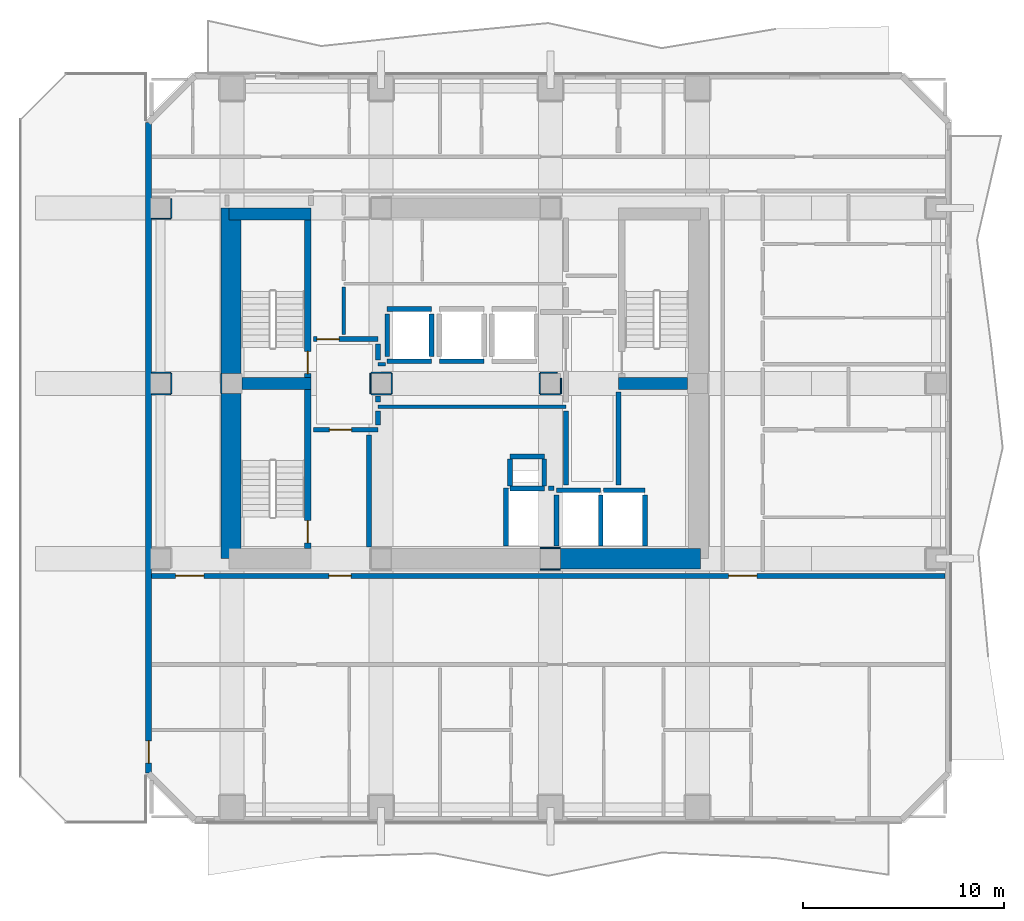
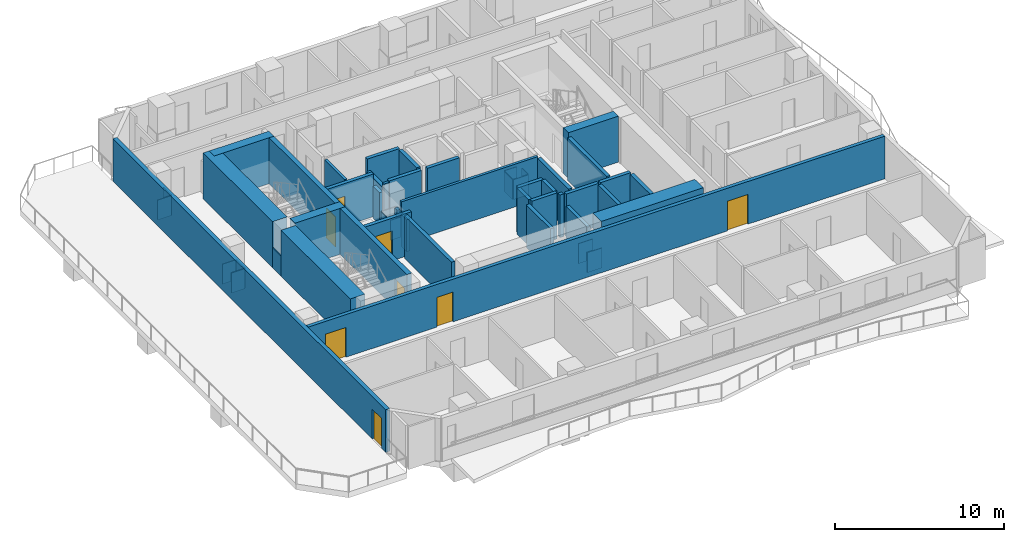
# One storey, part 3 of 10: 53 walls, 8 doors, 8 openings.
"""IFC4 building model written with IfcOpenShell, lengths in metres."""

from ifc_helpers import new_model, si_unit, direction, frame, frame_2d, origin, place, context, subcontext, project, spatial, rectangle, extrude, material, layer, layer_set, type_object, element, fill, save


model = new_model("IFC4")

# Units and contexts
model_context = context("Model", 3, precision=1e-05, world=origin(), true_north=direction((0.0, 1.0)))
body_context = subcontext(model_context, "Body", "Model", "MODEL_VIEW")
ifc_project = project(units=[si_unit("LENGTHUNIT", "METRE"), si_unit("AREAUNIT", "SQUARE_METRE"), si_unit("VOLUMEUNIT", "CUBIC_METRE"), si_unit("PLANEANGLEUNIT", "RADIAN"), si_unit("MASSUNIT", "GRAM", prefix="KILO")], contexts=[model_context])

# Site, building, storey
site_placement = place(None, origin())
site = spatial("IfcSite", under=ifc_project, at=site_placement, CompositionType="ELEMENT")
building_placement = place(site_placement, origin())
building = spatial("IfcBuilding", under=site, at=building_placement, Name="Solanera Arch Residences", CompositionType="ELEMENT")
storey_placement = place(building_placement, frame((0.0, 0.0, 126.0)))
storey = spatial("IfcBuildingStorey", under=building, at=storey_placement, Name="L36", CompositionType="ELEMENT", Elevation=126.0)

# Walls
ifc_material_1 = material(Name="Fire-Rated Gypsum Stud Partition", Category="gypsum")
ifc_layer_1 = layer(ifc_material_1, 0.06005859375)
ifc_layer_set_1 = layer_set([ifc_layer_1], Name="Fire-Rated Gypsum Stud Partition")
wall_type_1 = type_object("IfcWallType", Name="Column Acoustic Furring Wall 60", PredefinedType="PARTITIONING", material=ifc_layer_set_1)
for number, where, z_axis, x_axis, name in (
    (1, (28.699951171875, 21.468017578125, 0.0), (0.0, 0.0, 1.0), (1.0, 0.0, 0.0), "L36 Column Furring 2S"),
    (2, (28.699951171875, 22.531982421875, 0.0), (0.0, 0.0, 1.0), (1.0, 0.0, 0.0), "L36 Column Furring 2N"),
):
    element("IfcWall", number, at=place(storey_placement, frame(where, z_axis=z_axis, x_axis=x_axis)), inside=storey, type_object=wall_type_1, Name=name, PredefinedType="PARTITIONING", context=body_context, shape_type="SweptSolid", body=[
        extrude(rectangle(XDim=1.0, YDim=0.06005859375, at=frame_2d((0.5, 0.0))), origin(), (0.0, 0.0, 1.0), 1.449951171875),
    ])
wall_1_placement = place(storey_placement, frame((12.867919921875, 30.2099609375, 0.0), z_axis=(0.0, 0.0, 1.0), x_axis=(0.0, 1.0, 0.0)))
element("IfcWall", 3, at=wall_1_placement, inside=storey, type_object=wall_type_1, Name="L36 Column Furring 5W", PredefinedType="PARTITIONING", context=body_context, shape_type="SweptSolid", body=[
    extrude(rectangle(XDim=0.97998046875, YDim=0.06005859375, at=frame_2d((0.489990234375, 0.0))), origin(), (0.0, 0.0, 1.0), 1.449951171875),
])
for number, where, z_axis, x_axis, name in (
    (4, (20.300048828125, 30.16796875, 0.0), (0.0, 0.0, 1.0), (1.0, 0.0, 0.0), "L36 Column Furring 7S"),
    (5, (20.300048828125, 31.23193359375, 0.0), (0.0, 0.0, 1.0), (1.0, 0.0, 0.0), "L36 Column Furring 7N"),
    (6, (20.26806640625, 30.199951171875, 0.0), (0.0, 0.0, 1.0), (0.0, 1.0, 0.0), "L36 Column Furring 7W"),
    (7, (21.33203125, 30.199951171875, 0.0), (0.0, 0.0, 1.0), (0.0, 1.0, 0.0), "L36 Column Furring 7E"),
    (8, (28.699951171875, 30.16796875, 0.0), (0.0, 0.0, 1.0), (1.0, 0.0, 0.0), "L36 Column Furring 8S"),
):
    element("IfcWall", number, at=place(storey_placement, frame(where, z_axis=z_axis, x_axis=x_axis)), inside=storey, type_object=wall_type_1, Name=name, PredefinedType="PARTITIONING", context=body_context, shape_type="SweptSolid", body=[
        extrude(rectangle(XDim=1.0, YDim=0.06005859375, at=frame_2d((0.5, 0.0))), origin(), (0.0, 0.0, 1.0), 1.449951171875),
    ])
wall_2_placement = place(storey_placement, frame((28.699951171875, 31.23193359375, 0.0), z_axis=(0.0, 0.0, 1.0), x_axis=(1.0, 0.0, 0.0)))
element("IfcWall", 9, at=wall_2_placement, inside=storey, type_object=wall_type_1, Name="L36 Column Furring 8N", PredefinedType="PARTITIONING", context=body_context, shape_type="SweptSolid", body=[
    extrude(rectangle(XDim=0.8349609375, YDim=0.06005859375, at=frame_2d((0.41748046875, 0.0))), origin(), (0.0, 0.0, 1.0), 1.449951171875),
])
wall_3_placement = place(storey_placement, frame((28.66796875, 30.199951171875, 0.0), z_axis=(0.0, 0.0, 1.0), x_axis=(0.0, 1.0, 0.0)))
element("IfcWall", 10, at=wall_3_placement, inside=storey, type_object=wall_type_1, Name="L36 Column Furring 8W", PredefinedType="PARTITIONING", context=body_context, shape_type="SweptSolid", body=[
    extrude(rectangle(XDim=1.0, YDim=0.06005859375, at=frame_2d((0.5, 0.0))), origin(), (0.0, 0.0, 1.0), 1.449951171875),
])
wall_4_placement = place(storey_placement, frame((29.73193359375, 30.199951171875, 0.0), z_axis=(0.0, 0.0, 1.0), x_axis=(0.0, 1.0, 0.0)))
element("IfcWall", 11, at=wall_4_placement, inside=storey, type_object=wall_type_1, Name="L36 Column Furring 8E", PredefinedType="PARTITIONING", context=body_context, shape_type="SweptSolid", body=[
    extrude(rectangle(XDim=0.7470703125, YDim=0.06005859375, at=frame_2d((0.37353515625, 0.0))), origin(), (0.0, 0.0, 1.0), 1.449951171875),
])
for number, where, z_axis, x_axis, name in (
    (12, (9.409912109375, 30.16796875, 0.0), (0.0, 0.0, 1.0), (1.0, 0.0, 0.0), "L36 Column Furring 19S"),
    (13, (9.409912109375, 31.23193359375, 0.0), (0.0, 0.0, 1.0), (1.0, 0.0, 0.0), "L36 Column Furring 19N"),
):
    element("IfcWall", number, at=place(storey_placement, frame(where, z_axis=z_axis, x_axis=x_axis)), inside=storey, type_object=wall_type_1, Name=name, PredefinedType="PARTITIONING", context=body_context, shape_type="SweptSolid", body=[
        extrude(rectangle(XDim=0.940185546875, YDim=0.06005859375, at=frame_2d((0.47021484375, 0.0))), origin(), (0.0, 0.0, 1.0), 1.449951171875),
    ])
wall_5_placement = place(storey_placement, frame((10.382080078125, 30.199951171875, 0.0), z_axis=(0.0, 0.0, 1.0), x_axis=(0.0, 1.0, 0.0)))
element("IfcWall", 14, at=wall_5_placement, inside=storey, type_object=wall_type_1, Name="L36 Column Furring 19E", PredefinedType="PARTITIONING", context=body_context, shape_type="SweptSolid", body=[
    extrude(rectangle(XDim=1.0, YDim=0.06005859375, at=frame_2d((0.5, 0.0))), origin(), (0.0, 0.0, 1.0), 1.449951171875),
])
wall_6_placement = place(storey_placement, frame((9.409912109375, 38.867919921875, 0.0), z_axis=(0.0, 0.0, 1.0), x_axis=(1.0, 0.0, 0.0)))
element("IfcWall", 15, at=wall_6_placement, inside=storey, type_object=wall_type_1, Name="L36 Column Furring 21S", PredefinedType="PARTITIONING", context=body_context, shape_type="SweptSolid", body=[
    extrude(rectangle(XDim=0.940185546875, YDim=0.06005859375, at=frame_2d((0.47021484375, 0.0))), origin(), (0.0, 0.0, 1.0), 1.449951171875),
])
wall_7_placement = place(storey_placement, frame((10.382080078125, 38.89990234375, 0.0), z_axis=(0.0, 0.0, 1.0), x_axis=(0.0, 1.0, 0.0)))
element("IfcWall", 16, at=wall_7_placement, inside=storey, type_object=wall_type_1, Name="L36 Column Furring 21E", PredefinedType="PARTITIONING", context=body_context, shape_type="SweptSolid", body=[
    extrude(rectangle(XDim=0.9560546875, YDim=0.06005859375, at=frame_2d((0.47802734375, 0.0))), origin(), (0.0, 0.0, 1.0), 1.449951171875),
])
ifc_material_2 = material(Name="Concrete C55/67 (f'c = 60 MPa)", Category="concrete")
ifc_layer_2 = layer(ifc_material_2, 1.0)
ifc_layer_set_2 = layer_set([ifc_layer_2], Name="Concrete C55/67 (f'c = 60 MPa)")
wall_type_2 = type_object("IfcWallType", Name="Core Shear Wall CW-1000", PredefinedType="SHEAR", material=ifc_layer_set_2)
wall_8_placement = place(storey_placement, frame((13.340087890625, 22.0, 0.0), z_axis=(0.0, 0.0, 1.0), x_axis=(0.0, 1.0, 0.0)))
element("IfcWall", 17, at=wall_8_placement, inside=storey, type_object=wall_type_2, Name="L36 West Core South Shear Wall", PredefinedType="SHEAR", context=body_context, shape_type="SweptSolid", body=[
    extrude(rectangle(XDim=8.195068359375, YDim=1.0, at=frame_2d((4.09765625, 0.0))), origin(), (0.0, 0.0, 1.0), 3.320068359375),
])
wall_9_placement = place(storey_placement, frame((13.340087890625, 31.205078125, 0.0), z_axis=(0.0, 0.0, 1.0), x_axis=(0.0, 1.0, 0.0)))
element("IfcWall", 18, at=wall_9_placement, inside=storey, type_object=wall_type_2, Name="L36 West Core North Shear Wall", PredefinedType="SHEAR", context=body_context, shape_type="SweptSolid", body=[
    extrude(rectangle(XDim=8.19482421875, YDim=1.0, at=frame_2d((4.097412109375, 0.0))), origin(), (0.0, 0.0, 1.0), 3.320068359375),
])
wall_10_placement = place(storey_placement, frame((29.705078125, 22.0, 0.0), z_axis=(0.0, 0.0, 1.0), x_axis=(1.0, 0.0, 0.0)))
element("IfcWall", 19, at=wall_10_placement, inside=storey, type_object=wall_type_2, Name="L36 South-East Core Shear Wall", PredefinedType="SHEAR", context=body_context, shape_type="SweptSolid", body=[
    extrude(rectangle(XDim=6.954833984375, YDim=1.0, at=frame_2d((3.4775390625, 0.0))), origin(), (0.0, 0.0, 1.0), 3.320068359375),
])

# Wall, opening, door
ifc_material_3 = material(Name="Concrete C40/50 (f'c = 45 MPa)", Category="concrete")
ifc_layer_3 = layer(ifc_material_3, 0.320068359375)
ifc_layer_set_3 = layer_set([ifc_layer_3], Name="Concrete C40/50 (f'c = 45 MPa)")
wall_type_3 = type_object("IfcWallType", Name="Core Shear Wall CW-320", PredefinedType="SHEAR", material=ifc_layer_set_3)
wall_11_placement = place(storey_placement, frame((17.159912109375, 31.0, 0.0), z_axis=(0.0, 0.0, 1.0), x_axis=(0.0, 1.0, 0.0)))
wall_11 = element("IfcWall", 20, at=wall_11_placement, inside=storey, type_object=wall_type_3, Name="L36 Stair ST-T1 East Shear Wall", PredefinedType="SHEAR", context=body_context, shape_type="SweptSolid", body=[
    extrude(rectangle(XDim=7.800048828125, YDim=0.320068359375, at=frame_2d((3.89990234375, 0.0))), origin(), (0.0, 0.0, 1.0), 3.320068359375),
])
opening_1_placement = place(wall_11_placement, frame((0.18994140625, 0.0, 0.0)))
opening_1 = element("IfcOpeningElement", 21, at=opening_1_placement, cuts=wall_11, Name="Opening DF-01", PredefinedType="OPENING", context=body_context, shape_type="SweptSolid", body=[
    extrude(rectangle(XDim=1.10009765625, YDim=2.14990234375, at=frame_2d((0.550048828125, 1.074951171875))), frame((0.0, 0.169921875, 0.0), z_axis=(0.0, -1.0, 0.0), x_axis=(1.0, 0.0, 0.0)), (0.0, 0.0, 1.0), 0.3401),
])
ifc_material_4 = material(Name="Fire-Rated Architectural Hardwood", Category="wood")
door_type_1 = type_object("IfcDoorType", Name="Stair Exit Fire Door DF-01", OperationType="NOTDEFINED", PredefinedType="DOOR", material=ifc_material_4)
door_1_placement = place(opening_1_placement, origin())
door_1 = element("IfcDoor", 22, at=door_1_placement, inside=storey, type_object=door_type_1, Name="DR-L36-STAIR-ST-T1", OperationType="SINGLE_SWING_RIGHT", OverallHeight=2.14990234375, OverallWidth=1.10009765625, PredefinedType="DOOR", context=body_context, shape_type="SweptSolid", body=[
    extrude(rectangle(XDim=1.10009765625, YDim=2.14990234375, at=frame_2d((0.550048828125, 1.074951171875))), frame((0.0, 0.02490234375, 0.0), z_axis=(0.0, -1.0, 0.0), x_axis=(1.0, 0.0, 0.0)), (0.0, 0.0, 1.0), 0.050048828125),
])
fill(opening_1, door_1)

wall_12_placement = place(storey_placement, frame((17.159912109375, 22.5, 0.0), z_axis=(0.0, 0.0, 1.0), x_axis=(0.0, 1.0, 0.0)))
wall_12 = element("IfcWall", 23, at=wall_12_placement, inside=storey, type_object=wall_type_3, Name="L36 Stair ST-T3 East Shear Wall", PredefinedType="SHEAR", context=body_context, shape_type="SweptSolid", body=[
    extrude(rectangle(XDim=7.89990234375, YDim=0.320068359375, at=frame_2d((3.949951171875, 0.0))), origin(), (0.0, 0.0, 1.0), 3.320068359375),
])
opening_2_placement = place(wall_12_placement, frame((0.2900390625, 0.0, 0.0)))
opening_2 = element("IfcOpeningElement", 24, at=opening_2_placement, cuts=wall_12, Name="Opening DF-01", PredefinedType="OPENING", context=body_context, shape_type="SweptSolid", body=[
    extrude(rectangle(XDim=1.10009765625, YDim=2.14990234375, at=frame_2d((0.550048828125, 1.074951171875))), frame((0.0, 0.169921875, 0.0), z_axis=(0.0, -1.0, 0.0), x_axis=(1.0, 0.0, 0.0)), (0.0, 0.0, 1.0), 0.3401),
])
door_2_placement = place(opening_2_placement, origin())
door_2 = element("IfcDoor", 25, at=door_2_placement, inside=storey, type_object=door_type_1, Name="DR-L36-STAIR-ST-T3", OperationType="SINGLE_SWING_RIGHT", OverallHeight=2.14990234375, OverallWidth=1.10009765625, PredefinedType="DOOR", context=body_context, shape_type="SweptSolid", body=[
    extrude(rectangle(XDim=1.10009765625, YDim=2.14990234375, at=frame_2d((0.550048828125, 1.074951171875))), frame((0.0, 0.02490234375, 0.0), z_axis=(0.0, -1.0, 0.0), x_axis=(1.0, 0.0, 0.0)), (0.0, 0.0, 1.0), 0.050048828125),
])
fill(opening_2, door_2)

# Walls
ifc_material_5 = material(Name="Concrete C40/50 (f'c = 45 MPa)", Category="concrete")
ifc_layer_4 = layer(ifc_material_5, 0.60009765625)
ifc_layer_set_4 = layer_set([ifc_layer_4], Name="Concrete C40/50 (f'c = 45 MPa)")
wall_type_4 = type_object("IfcWallType", Name="Core Shear Wall CW-600", PredefinedType="SHEAR", material=ifc_layer_set_4)
wall_13_placement = place(storey_placement, frame((13.239990234375, 39.10009765625, 0.0), z_axis=(0.0, 0.0, 1.0), x_axis=(1.0, 0.0, 0.0)))
element("IfcWall", 26, at=wall_13_placement, inside=storey, type_object=wall_type_4, Name="L36 North-West Core Shear Wall", PredefinedType="SHEAR", context=body_context, shape_type="SweptSolid", body=[
    extrude(rectangle(XDim=4.080078125, YDim=0.60009765625, at=frame_2d((2.0400390625, 0.0))), origin(), (0.0, 0.0, 1.0), 3.320068359375),
])
for number, where, z_axis, x_axis, name in (
    (27, (13.905029296875, 30.699951171875, 0.0), (0.0, 0.0, 1.0), (1.0, 0.0, 0.0), "L36 West Stair Divider Shear Wall"),
    (28, (32.580078125, 30.699951171875, 0.0), (0.0, 0.0, 1.0), (1.0, 0.0, 0.0), "L36 East Stair Far-Landing Shear Wall"),
):
    element("IfcWall", number, at=place(storey_placement, frame(where, z_axis=z_axis, x_axis=x_axis)), inside=storey, type_object=wall_type_4, Name=name, PredefinedType="SHEAR", context=body_context, shape_type="SweptSolid", body=[
        extrude(rectangle(XDim=3.4150390625, YDim=0.60009765625, at=frame_2d((1.70751953125, 0.0))), origin(), (0.0, 0.0, 1.0), 3.320068359375),
    ])
ifc_material_6 = material(Name="Autoclaved Aerated Concrete Blockwork", Category="masonry")
ifc_layer_5 = layer(ifc_material_6, 0.179931640625)
ifc_layer_set_5 = layer_set([ifc_layer_5], Name="Autoclaved Aerated Concrete Blockwork")
wall_type_5 = type_object("IfcWallType", Name="Corridor Fire Partition 180", PredefinedType="PARTITIONING", material=ifc_layer_set_5)
wall_14_placement = place(storey_placement, frame((20.64990234375, 29.550048828125, 0.0), z_axis=(0.0, 0.0, 1.0), x_axis=(1.0, 0.0, 0.0)))
element("IfcWall", 29, at=wall_14_placement, inside=storey, type_object=wall_type_5, Name="L36 Interior Partition H8", PredefinedType="PARTITIONING", context=body_context, shape_type="SweptSolid", body=[
    extrude(rectangle(XDim=9.3251953125, YDim=0.179931640625, at=frame_2d((4.66259765625, 0.0))), origin(), (0.0, 0.0, 1.0), 3.080078125),
])
wall_15_placement = place(storey_placement, frame((20.64990234375, 31.64990234375, 0.0), z_axis=(0.0, 0.0, 1.0), x_axis=(1.0, 0.0, 0.0)))
element("IfcWall", 30, at=wall_15_placement, inside=storey, type_object=wall_type_5, Name="L36 Interior Partition H9", PredefinedType="PARTITIONING", context=body_context, shape_type="SweptSolid", body=[
    extrude(rectangle(XDim=0.357177734375, YDim=0.179931640625, at=frame_2d((0.1787109375, 0.0))), origin(), (0.0, 0.0, 1.0), 3.080078125),
])
wall_16_placement = place(storey_placement, frame((18.949951171875, 33.117919921875, 0.0), z_axis=(0.0, 0.0, 1.0), x_axis=(0.0, 1.0, 0.0)))
element("IfcWall", 31, at=wall_16_placement, inside=storey, type_object=wall_type_5, Name="L36 Interior Partition V9 1", PredefinedType="PARTITIONING", context=body_context, shape_type="SweptSolid", body=[
    extrude(rectangle(XDim=2.3740234375, YDim=0.179931640625, at=frame_2d((1.18701171875, 0.0))), origin(), (0.0, 0.0, 1.0), 3.080078125),
])

# Wall, opening, door
ifc_material_7 = material(Name="Precast Concrete C35/45", Category="concrete")
ifc_layer_6 = layer(ifc_material_7, 0.280029296875)
ifc_layer_set_6 = layer_set([ifc_layer_6], Name="Precast Concrete C35/45")
wall_type_6 = type_object("IfcWallType", Name="Exterior Wall Precast Masonry-Frame 280", PredefinedType="STANDARD", material=ifc_layer_set_6)
wall_17_placement = place(storey_placement, frame((9.2548828125, 11.35498046875, 0.0), z_axis=(0.0, 0.0, 1.0), x_axis=(0.0, 1.0, 0.0)))
wall_17 = element("IfcWall", 32, at=wall_17_placement, inside=storey, type_object=wall_type_6, Name="L36 Tower Exterior Precast Masonry-Frame Wall W", PredefinedType="STANDARD", context=body_context, shape_type="SweptSolid", body=[
    extrude(rectangle(XDim=32.2900390625, YDim=0.280029296875, at=frame_2d((16.14501953125, 0.0))), origin(), (0.0, 0.0, 1.0), 3.080078125),
])
opening_3_placement = place(wall_17_placement, frame((0.5029296875, 0.0, 0.0)))
opening_3 = element("IfcOpeningElement", 33, at=opening_3_placement, cuts=wall_17, Name="Opening DB-02", PredefinedType="OPENING", context=body_context, shape_type="SweptSolid", body=[
    extrude(rectangle(XDim=1.10009765625, YDim=2.14990234375, at=frame_2d((0.550048828125, 1.074951171875))), frame((0.0, 0.14990234375, 0.0), z_axis=(0.0, -1.0, 0.0), x_axis=(1.0, 0.0, 0.0)), (0.0, 0.0, 1.0), 0.3),
])
ifc_material_8 = material(Name="Anodised Aluminium Alloy 6063-T6", Category="aluminium")
door_type_2 = type_object("IfcDoorType", Name="Glazed Terrace Swing Door DB-02", OperationType="NOTDEFINED", PredefinedType="DOOR", material=ifc_material_8)
door_3_placement = place(opening_3_placement, origin())
door_3 = element("IfcDoor", 34, at=door_3_placement, inside=storey, type_object=door_type_2, Name="DR-L36-OUT-01", OperationType="SINGLE_SWING_RIGHT", OverallHeight=2.14990234375, OverallWidth=1.10009765625, PredefinedType="DOOR", context=body_context, shape_type="SweptSolid", body=[
    extrude(rectangle(XDim=1.10009765625, YDim=2.14990234375, at=frame_2d((0.550048828125, 1.074951171875))), frame((0.0, 0.02490234375, 0.0), z_axis=(0.0, -1.0, 0.0), x_axis=(1.0, 0.0, 0.0)), (0.0, 0.0, 1.0), 0.050048828125),
])
fill(opening_3, door_3)

# Walls
ifc_material_9 = material(Name="Concrete C40/50 (f'c = 45 MPa)", Category="concrete")
ifc_layer_7 = layer(ifc_material_9, 0.239990234375)
ifc_layer_set_7 = layer_set([ifc_layer_7], Name="Concrete C40/50 (f'c = 45 MPa)")
wall_type_7 = type_object("IfcWallType", Name="Ramp Bearing Shear Wall RW-240", PredefinedType="SHEAR", material=ifc_layer_set_7)
for number, where, z_axis, x_axis, name in (
    (35, (27.199951171875, 25.47998046875, 0.0), (0.0, 0.0, 1.0), (1.0, 0.0, 0.0), "L36 Core MEP Riser South Shaft Wall"),
    (36, (27.199951171875, 27.080078125, 0.0), (0.0, 0.0, 1.0), (1.0, 0.0, 0.0), "L36 Core MEP Riser North Shaft Wall"),
):
    element("IfcWall", number, at=place(storey_placement, frame(where, z_axis=z_axis, x_axis=x_axis)), inside=storey, type_object=wall_type_7, Name=name, PredefinedType="SHEAR", context=body_context, shape_type="SweptSolid", body=[
        extrude(rectangle(XDim=1.699951171875, YDim=0.239990234375, at=frame_2d((0.85009765625, 0.0))), origin(), (0.0, 0.0, 1.0), 3.320068359375),
    ])
for number, where, z_axis, x_axis, name in (
    (37, (27.199951171875, 25.60009765625, 0.0), (0.0, 0.0, 1.0), (0.0, 1.0, 0.0), "L36 Core MEP Riser West Shaft Wall"),
    (38, (28.89990234375, 25.60009765625, 0.0), (0.0, 0.0, 1.0), (0.0, 1.0, 0.0), "L36 Core MEP Riser East Shaft Wall"),
):
    element("IfcWall", number, at=place(storey_placement, frame(where, z_axis=z_axis, x_axis=x_axis)), inside=storey, type_object=wall_type_7, Name=name, PredefinedType="SHEAR", context=body_context, shape_type="SweptSolid", body=[
        extrude(rectangle(XDim=1.35986328125, YDim=0.239990234375, at=frame_2d((0.679931640625, 0.0))), origin(), (0.0, 0.0, 1.0), 3.320068359375),
    ])
ifc_material_10 = material(Name="Autoclaved Aerated Concrete Blockwork", Category="masonry")
ifc_layer_8 = layer(ifc_material_10, 0.239990234375)
ifc_layer_set_8 = layer_set([ifc_layer_8], Name="Autoclaved Aerated Concrete Blockwork")
wall_type_8 = type_object("IfcWallType", Name="Shaft Wall Fire-Rated 240", PredefinedType="PARTITIONING", material=ifc_layer_set_8)
for number, where, z_axis, x_axis, name in (
    (39, (21.10009765625, 31.800048828125, 0.0), (0.0, 0.0, 1.0), (1.0, 0.0, 0.0), "L36 Lift PL-M1 Hoistway Wall S"),
    (40, (21.10009765625, 34.39990234375, 0.0), (0.0, 0.0, 1.0), (1.0, 0.0, 0.0), "L36 Lift PL-M1 Hoistway Wall N"),
):
    element("IfcWall", number, at=place(storey_placement, frame(where, z_axis=z_axis, x_axis=x_axis)), inside=storey, type_object=wall_type_8, Name=name, PredefinedType="PARTITIONING", context=body_context, shape_type="SweptSolid", body=[
        extrude(rectangle(XDim=2.199951171875, YDim=0.239990234375, at=frame_2d((1.10009765625, 0.0))), origin(), (0.0, 0.0, 1.0), 3.080078125),
    ])
wall_18_placement = place(storey_placement, frame((21.10009765625, 32.048095703125, 0.0), z_axis=(0.0, 0.0, 1.0), x_axis=(0.0, 1.0, 0.0)))
element("IfcWall", 41, at=wall_18_placement, inside=storey, type_object=wall_type_8, Name="L36 Lift PL-M1 Hoistway Wall W", PredefinedType="PARTITIONING", context=body_context, shape_type="SweptSolid", body=[
    extrude(rectangle(XDim=2.10400390625, YDim=0.239990234375, at=frame_2d((1.052001953125, 0.0))), origin(), (0.0, 0.0, 1.0), 2.31494140625),
])
wall_19_placement = place(storey_placement, frame((23.300048828125, 32.048095703125, 0.0), z_axis=(0.0, 0.0, 1.0), x_axis=(0.0, 1.0, 0.0)))
element("IfcWall", 42, at=wall_19_placement, inside=storey, type_object=wall_type_8, Name="L36 Lift PL-M1 Hoistway Wall E", PredefinedType="PARTITIONING", context=body_context, shape_type="SweptSolid", body=[
    extrude(rectangle(XDim=2.10400390625, YDim=0.239990234375, at=frame_2d((1.052001953125, 0.0))), origin(), (0.0, 0.0, 1.0), 3.080078125),
])
for number, where, z_axis, x_axis, name in (
    (43, (23.699951171875, 31.800048828125, 0.0), (0.0, 0.0, 1.0), (1.0, 0.0, 0.0), "L36 Lift PL-M2 Hoistway Wall S"),
    (44, (29.5, 25.39990234375, 0.0), (0.0, 0.0, 1.0), (1.0, 0.0, 0.0), "L36 Lift FFL-1 Hoistway Wall N"),
):
    element("IfcWall", number, at=place(storey_placement, frame(where, z_axis=z_axis, x_axis=x_axis)), inside=storey, type_object=wall_type_8, Name=name, PredefinedType="PARTITIONING", context=body_context, shape_type="SweptSolid", body=[
        extrude(rectangle(XDim=2.199951171875, YDim=0.239990234375, at=frame_2d((1.10009765625, 0.0))), origin(), (0.0, 0.0, 1.0), 3.080078125),
    ])
wall_20_placement = place(storey_placement, frame((29.5, 22.632080078125, 0.0), z_axis=(0.0, 0.0, 1.0), x_axis=(0.0, 1.0, 0.0)))
element("IfcWall", 45, at=wall_20_placement, inside=storey, type_object=wall_type_8, Name="L36 Lift FFL-1 Hoistway Wall W", PredefinedType="PARTITIONING", context=body_context, shape_type="SweptSolid", body=[
    extrude(rectangle(XDim=2.52001953125, YDim=0.239990234375, at=frame_2d((1.260009765625, 0.0))), origin(), (0.0, 0.0, 1.0), 2.31494140625),
])
wall_21_placement = place(storey_placement, frame((31.699951171875, 22.6298828125, 0.0), z_axis=(0.0, 0.0, 1.0), x_axis=(0.0, 1.0, 0.0)))
element("IfcWall", 46, at=wall_21_placement, inside=storey, type_object=wall_type_8, Name="L36 Lift FFL-1 Hoistway Wall E", PredefinedType="PARTITIONING", context=body_context, shape_type="SweptSolid", body=[
    extrude(rectangle(XDim=2.522216796875, YDim=0.239990234375, at=frame_2d((1.26123046875, 0.0))), origin(), (0.0, 0.0, 1.0), 3.080078125),
])
wall_22_placement = place(storey_placement, frame((31.827880859375, 25.39990234375, 0.0), z_axis=(0.0, 0.0, 1.0), x_axis=(1.0, 0.0, 0.0)))
element("IfcWall", 47, at=wall_22_placement, inside=storey, type_object=wall_type_8, Name="L36 Lift FFL-2 Hoistway Wall N", PredefinedType="PARTITIONING", context=body_context, shape_type="SweptSolid", body=[
    extrude(rectangle(XDim=2.072021484375, YDim=0.239990234375, at=frame_2d((1.0361328125, 0.0))), origin(), (0.0, 0.0, 1.0), 3.080078125),
])
wall_23_placement = place(storey_placement, frame((33.89990234375, 22.6298828125, 0.0), z_axis=(0.0, 0.0, 1.0), x_axis=(0.0, 1.0, 0.0)))
element("IfcWall", 48, at=wall_23_placement, inside=storey, type_object=wall_type_8, Name="L36 Lift FFL-2 Hoistway Wall E", PredefinedType="PARTITIONING", context=body_context, shape_type="SweptSolid", body=[
    extrude(rectangle(XDim=2.522216796875, YDim=0.239990234375, at=frame_2d((1.26123046875, 0.0))), origin(), (0.0, 0.0, 1.0), 3.080078125),
])
wall_24_placement = place(storey_placement, frame((29.10302734375, 25.5, 0.0), z_axis=(0.0, 0.0, 1.0), x_axis=(1.0, 0.0, 0.0)))
element("IfcWall", 49, at=wall_24_placement, inside=storey, type_object=wall_type_8, Name="L36 Lift SVL-1 Hoistway Wall N", PredefinedType="PARTITIONING", context=body_context, shape_type="SweptSolid", body=[
    extrude(rectangle(XDim=0.26904296875, YDim=0.239990234375, at=frame_2d((0.134521484375, 0.0))), origin(), (0.0, 0.0, 1.0), 3.080078125),
])
wall_25_placement = place(storey_placement, frame((27.0, 22.6298828125, 0.0), z_axis=(0.0, 0.0, 1.0), x_axis=(0.0, 1.0, 0.0)))
element("IfcWall", 50, at=wall_25_placement, inside=storey, type_object=wall_type_8, Name="L36 Lift SVL-1 Hoistway Wall W", PredefinedType="PARTITIONING", context=body_context, shape_type="SweptSolid", body=[
    extrude(rectangle(XDim=2.8681640625, YDim=0.239990234375, at=frame_2d((1.43408203125, 0.0))), origin(), (0.0, 0.0, 1.0), 3.080078125),
])

# Wall, openings, doors
wall_26_placement = place(storey_placement, frame((9.406982421875, 21.14990234375, 0.0), z_axis=(0.0, 0.0, 1.0), x_axis=(1.0, 0.0, 0.0)))
wall_26 = element("IfcWall", 51, at=wall_26_placement, inside=storey, type_object=wall_type_8, Name="L36 Interior Partition H1", PredefinedType="PARTITIONING", context=body_context, shape_type="SweptSolid", body=[
    extrude(rectangle(XDim=39.385986328125, YDim=0.239990234375, at=frame_2d((19.69287109375, 0.0))), origin(), (0.0, 0.0, 1.0), 3.080078125),
])
opening_4_placement = place(wall_26_placement, frame((8.802978515625, 0.0, 0.0)))
opening_4 = element("IfcOpeningElement", 52, at=opening_4_placement, cuts=wall_26, Name="Opening DF-02", PredefinedType="OPENING", context=body_context, shape_type="SweptSolid", body=[
    extrude(rectangle(XDim=1.10009765625, YDim=2.14990234375, at=frame_2d((0.550048828125, 1.074951171875))), frame((0.0, 0.1298828125, 0.0), z_axis=(0.0, -1.0, 0.0), x_axis=(1.0, 0.0, 0.0)), (0.0, 0.0, 1.0), 0.26),
])
opening_5_placement = place(wall_26_placement, frame((1.19189453125, 0.0, 0.0)))
opening_5 = element("IfcOpeningElement", 53, at=opening_5_placement, cuts=wall_26, Name="Opening DF-03", PredefinedType="OPENING", context=body_context, shape_type="SweptSolid", body=[
    extrude(rectangle(XDim=1.39990234375, YDim=2.14990234375, at=frame_2d((0.699951171875, 1.074951171875))), frame((0.0, 0.1298828125, 0.0), z_axis=(0.0, -1.0, 0.0), x_axis=(1.0, 0.0, 0.0)), (0.0, 0.0, 1.0), 0.26),
])
opening_6_placement = place(wall_26_placement, frame((28.64306640625, 0.0, 0.0)))
opening_6 = element("IfcOpeningElement", 54, at=opening_6_placement, cuts=wall_26, Name="Opening DF-03", PredefinedType="OPENING", context=body_context, shape_type="SweptSolid", body=[
    extrude(rectangle(XDim=1.39990234375, YDim=2.14990234375, at=frame_2d((0.699951171875, 1.074951171875))), frame((0.0, 0.1298828125, 0.0), z_axis=(0.0, -1.0, 0.0), x_axis=(1.0, 0.0, 0.0)), (0.0, 0.0, 1.0), 0.26),
])
ifc_material_11 = material(Name="Fire-Rated Architectural Hardwood", Category="wood")
door_type_3 = type_object("IfcDoorType", Name="Corridor Smoke Door DF-03", OperationType="NOTDEFINED", PredefinedType="DOOR", material=ifc_material_11)
door_4_placement = place(opening_5_placement, origin())
door_4 = element("IfcDoor", 55, at=door_4_placement, inside=storey, type_object=door_type_3, Name="DR-L36-IN-010", OperationType="SINGLE_SWING_LEFT", OverallHeight=2.14990234375, OverallWidth=1.39990234375, PredefinedType="DOOR", context=body_context, shape_type="SweptSolid", body=[
    extrude(rectangle(XDim=1.39990234375, YDim=2.14990234375, at=frame_2d((0.699951171875, 1.074951171875))), frame((0.0, 0.02490234375, 0.0), z_axis=(0.0, -1.0, 0.0), x_axis=(1.0, 0.0, 0.0)), (0.0, 0.0, 1.0), 0.050048828125),
])
fill(opening_5, door_4)
door_5_placement = place(opening_6_placement, origin())
door_5 = element("IfcDoor", 56, at=door_5_placement, inside=storey, type_object=door_type_3, Name="DR-L36-IN-011", OperationType="SINGLE_SWING_RIGHT", OverallHeight=2.14990234375, OverallWidth=1.39990234375, PredefinedType="DOOR", context=body_context, shape_type="SweptSolid", body=[
    extrude(rectangle(XDim=1.39990234375, YDim=2.14990234375, at=frame_2d((0.699951171875, 1.074951171875))), frame((0.0, 0.02490234375, 0.0), z_axis=(0.0, -1.0, 0.0), x_axis=(1.0, 0.0, 0.0)), (0.0, 0.0, 1.0), 0.050048828125),
])
fill(opening_6, door_5)
ifc_material_12 = material(Name="Fire-Rated Architectural Hardwood", Category="wood")
door_type_4 = type_object("IfcDoorType", Name="Firefighting Lobby Fire Door DF-02", OperationType="NOTDEFINED", PredefinedType="DOOR", material=ifc_material_12)
door_6_placement = place(opening_4_placement, origin())
door_6 = element("IfcDoor", 57, at=door_6_placement, inside=storey, type_object=door_type_4, Name="DR-L36-IN-008", OperationType="SINGLE_SWING_LEFT", OverallHeight=2.14990234375, OverallWidth=1.10009765625, PredefinedType="DOOR", context=body_context, shape_type="SweptSolid", body=[
    extrude(rectangle(XDim=1.10009765625, YDim=2.14990234375, at=frame_2d((0.550048828125, 1.074951171875))), frame((0.0, 0.02490234375, 0.0), z_axis=(0.0, -1.0, 0.0), x_axis=(1.0, 0.0, 0.0)), (0.0, 0.0, 1.0), 0.050048828125),
])
fill(opening_4, door_6)

# Wall, opening, door
wall_27_placement = place(storey_placement, frame((17.449951171875, 28.39990234375, 0.0), z_axis=(0.0, 0.0, 1.0), x_axis=(1.0, 0.0, 0.0)))
wall_27 = element("IfcWall", 58, at=wall_27_placement, inside=storey, type_object=wall_type_8, Name="L36 Interior Partition H3", PredefinedType="PARTITIONING", context=body_context, shape_type="SweptSolid", body=[
    extrude(rectangle(XDim=3.199951171875, YDim=0.239990234375, at=frame_2d((1.60009765625, 0.0))), origin(), (0.0, 0.0, 1.0), 3.080078125),
])
opening_7_placement = place(wall_27_placement, frame((0.783935546875, 0.0, 0.0)))
opening_7 = element("IfcOpeningElement", 59, at=opening_7_placement, cuts=wall_27, Name="Opening DF-02", PredefinedType="OPENING", context=body_context, shape_type="SweptSolid", body=[
    extrude(rectangle(XDim=1.10009765625, YDim=2.14990234375, at=frame_2d((0.550048828125, 1.074951171875))), frame((0.0, 0.1298828125, 0.0), z_axis=(0.0, -1.0, 0.0), x_axis=(1.0, 0.0, 0.0)), (0.0, 0.0, 1.0), 0.26),
])
door_7_placement = place(opening_7_placement, origin())
door_7 = element("IfcDoor", 60, at=door_7_placement, inside=storey, type_object=door_type_4, Name="DR-L36-IN-004", OperationType="SINGLE_SWING_LEFT", OverallHeight=2.14990234375, OverallWidth=1.10009765625, PredefinedType="DOOR", context=body_context, shape_type="SweptSolid", body=[
    extrude(rectangle(XDim=1.10009765625, YDim=2.14990234375, at=frame_2d((0.550048828125, 1.074951171875))), frame((0.0, 0.02490234375, 0.0), z_axis=(0.0, -1.0, 0.0), x_axis=(1.0, 0.0, 0.0)), (0.0, 0.0, 1.0), 0.050048828125),
])
fill(opening_7, door_7)

wall_28_placement = place(storey_placement, frame((17.449951171875, 32.89990234375, 0.0), z_axis=(0.0, 0.0, 1.0), x_axis=(1.0, 0.0, 0.0)))
wall_28 = element("IfcWall", 61, at=wall_28_placement, inside=storey, type_object=wall_type_8, Name="L36 Interior Partition H5", PredefinedType="PARTITIONING", context=body_context, shape_type="SweptSolid", body=[
    extrude(rectangle(XDim=3.199951171875, YDim=0.239990234375, at=frame_2d((1.60009765625, 0.0))), origin(), (0.0, 0.0, 1.0), 3.080078125),
])
opening_8_placement = place(wall_28_placement, frame((0.158935546875, 0.0, 0.0)))
opening_8 = element("IfcOpeningElement", 62, at=opening_8_placement, cuts=wall_28, Name="Opening DF-02", PredefinedType="OPENING", context=body_context, shape_type="SweptSolid", body=[
    extrude(rectangle(XDim=1.10009765625, YDim=2.14990234375, at=frame_2d((0.550048828125, 1.074951171875))), frame((0.0, 0.1298828125, 0.0), z_axis=(0.0, -1.0, 0.0), x_axis=(1.0, 0.0, 0.0)), (0.0, 0.0, 1.0), 0.26),
])
door_8_placement = place(opening_8_placement, origin())
door_8 = element("IfcDoor", 63, at=door_8_placement, inside=storey, type_object=door_type_4, Name="DR-L36-IN-005", OperationType="SINGLE_SWING_RIGHT", OverallHeight=2.14990234375, OverallWidth=1.10009765625, PredefinedType="DOOR", context=body_context, shape_type="SweptSolid", body=[
    extrude(rectangle(XDim=1.10009765625, YDim=2.14990234375, at=frame_2d((0.550048828125, 1.074951171875))), frame((0.0, 0.02490234375, 0.0), z_axis=(0.0, -1.0, 0.0), x_axis=(1.0, 0.0, 0.0)), (0.0, 0.0, 1.0), 0.050048828125),
])
fill(opening_8, door_8)

# Walls
wall_29_placement = place(storey_placement, frame((20.199951171875, 22.5859375, 0.0), z_axis=(0.0, 0.0, 1.0), x_axis=(0.0, 1.0, 0.0)))
element("IfcWall", 64, at=wall_29_placement, inside=storey, type_object=wall_type_8, Name="L36 Interior Partition V2", PredefinedType="PARTITIONING", context=body_context, shape_type="SweptSolid", body=[
    extrude(rectangle(XDim=5.566162109375, YDim=0.239990234375, at=frame_2d((2.783203125, 0.0))), origin(), (0.0, 0.0, 1.0), 3.080078125),
])
wall_30_placement = place(storey_placement, frame((20.64990234375, 28.64794921875, 0.0), z_axis=(0.0, 0.0, 1.0), x_axis=(0.0, 1.0, 0.0)))
element("IfcWall", 65, at=wall_30_placement, inside=storey, type_object=wall_type_8, Name="L36 Interior Partition V3 1", PredefinedType="PARTITIONING", context=body_context, shape_type="SweptSolid", body=[
    extrude(rectangle(XDim=0.68408203125, YDim=0.239990234375, at=frame_2d((0.342041015625, 0.0))), origin(), (0.0, 0.0, 1.0), 2.31494140625),
])
wall_31_placement = place(storey_placement, frame((20.64990234375, 29.76806640625, 0.0), z_axis=(0.0, 0.0, 1.0), x_axis=(0.0, 1.0, 0.0)))
element("IfcWall", 66, at=wall_31_placement, inside=storey, type_object=wall_type_8, Name="L36 Interior Partition V3 2", PredefinedType="PARTITIONING", context=body_context, shape_type="SweptSolid", body=[
    extrude(rectangle(XDim=0.300048828125, YDim=0.239990234375, at=frame_2d((0.14990234375, 0.0))), origin(), (0.0, 0.0, 1.0), 2.31494140625),
])
wall_32_placement = place(storey_placement, frame((20.64990234375, 31.867919921875, 0.0), z_axis=(0.0, 0.0, 1.0), x_axis=(0.0, 1.0, 0.0)))
element("IfcWall", 67, at=wall_32_placement, inside=storey, type_object=wall_type_8, Name="L36 Interior Partition V3 3", PredefinedType="PARTITIONING", context=body_context, shape_type="SweptSolid", body=[
    extrude(rectangle(XDim=0.7841796875, YDim=0.239990234375, at=frame_2d((0.39208984375, 0.0))), origin(), (0.0, 0.0, 1.0), 2.31494140625),
])
wall_33_placement = place(storey_placement, frame((29.97509765625, 25.64794921875, 0.0), z_axis=(0.0, 0.0, 1.0), x_axis=(0.0, 1.0, 0.0)))
element("IfcWall", 68, at=wall_33_placement, inside=storey, type_object=wall_type_8, Name="L36 Interior Partition V4 1", PredefinedType="PARTITIONING", context=body_context, shape_type="SweptSolid", body=[
    extrude(rectangle(XDim=3.68408203125, YDim=0.239990234375, at=frame_2d((1.842041015625, 0.0))), origin(), (0.0, 0.0, 1.0), 3.080078125),
])
wall_34_placement = place(storey_placement, frame((32.580078125, 25.64794921875, 0.0), z_axis=(0.0, 0.0, 1.0), x_axis=(0.0, 1.0, 0.0)))
element("IfcWall", 69, at=wall_34_placement, inside=storey, type_object=wall_type_8, Name="L36 Interior Partition V5", PredefinedType="PARTITIONING", context=body_context, shape_type="SweptSolid", body=[
    extrude(rectangle(XDim=4.6220703125, YDim=0.239990234375, at=frame_2d((2.31103515625, 0.0))), origin(), (0.0, 0.0, 1.0), 3.080078125),
])

save(model, "model.ifc")
